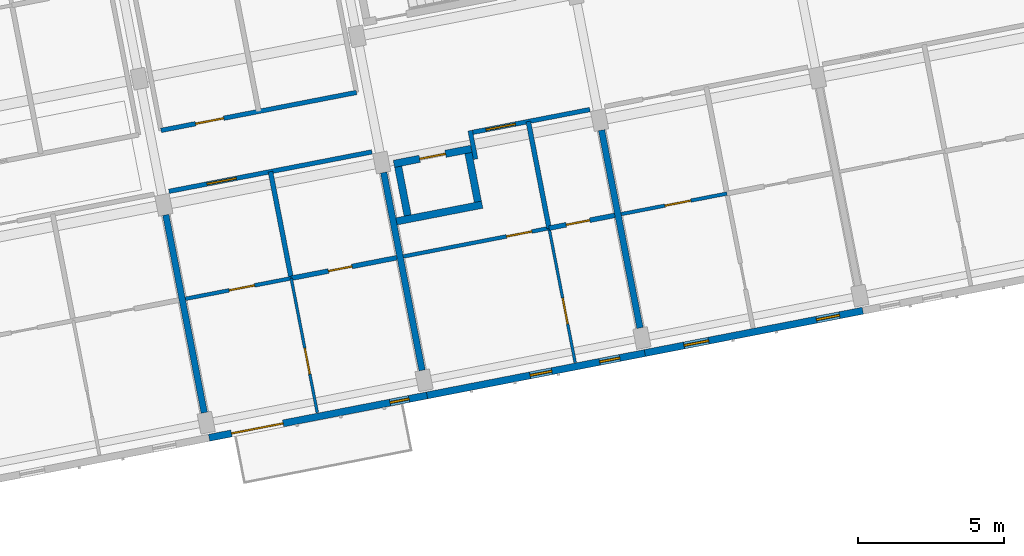
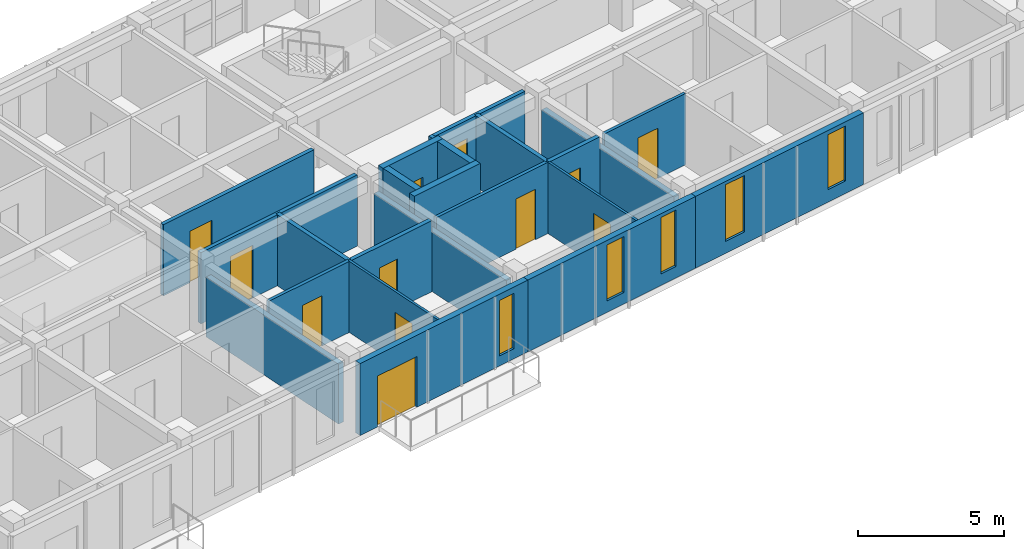
# One storey, part 34 of 66: 23 walls, 12 doors, 5 windows, 17 openings.
"""IFC4 building model written with IfcOpenShell, lengths in metres."""

from ifc_helpers import new_model, si_unit, direction, frame, frame_2d, origin, place, context, subcontext, project, spatial, rectangle, extrude, material, layer, layer_set, type_object, element, fill, save


model = new_model("IFC4")

# Units and contexts
model_context = context("Model", 3, precision=1e-05, world=origin(), true_north=direction((0.0, 1.0)))
body_context = subcontext(model_context, "Body", "Model", "MODEL_VIEW")
ifc_project = project(units=[si_unit("LENGTHUNIT", "METRE"), si_unit("AREAUNIT", "SQUARE_METRE"), si_unit("VOLUMEUNIT", "CUBIC_METRE"), si_unit("PLANEANGLEUNIT", "RADIAN"), si_unit("MASSUNIT", "GRAM", prefix="KILO")], contexts=[model_context])

# Site, building, storey
site_placement = place(None, origin())
site = spatial("IfcSite", under=ifc_project, at=site_placement, CompositionType="ELEMENT")
building_placement = place(site_placement, origin())
building = spatial("IfcBuilding", under=site, at=building_placement, Name="Kestramere Prow Commons", CompositionType="ELEMENT")
storey_placement = place(building_placement, frame((0.0, 0.0, 14.89990234375)))
storey = spatial("IfcBuildingStorey", under=building, at=storey_placement, Name="L04", CompositionType="ELEMENT", Elevation=14.89990234375)

# Wall, openings, door, window
ifc_material_1 = material(Name="Fluoropolymer Standing-Seam Zinc-Aluminium Cladding", Category="aluminium")
ifc_layer_1 = layer(ifc_material_1, 0.239990234375)
ifc_layer_set_1 = layer_set([ifc_layer_1], Name="Fluoropolymer Standing-Seam Zinc-Aluminium Cladding")
wall_type_1 = type_object("IfcWallType", Name="EW-SEAM-240", PredefinedType="SOLIDWALL", material=ifc_layer_set_1)
wall_1_placement = place(storey_placement, frame((140.88134765625, 37.835205078125, 0.0), z_axis=(0.0, 0.0, 1.0), x_axis=(-0.981626422232, -0.190812911449, 0.0)))
wall_1 = element("IfcWall", 1, at=wall_1_placement, inside=storey, type_object=wall_type_1, Name="Block D L04 South Standing-Seam Wall 3", PredefinedType="SOLIDWALL", context=body_context, shape_type="SweptSolid", body=[
    extrude(rectangle(XDim=7.60009765625, YDim=0.239990234375, at=frame_2d((3.800048828125, 0.0))), origin(), (0.0, 0.0, 1.0), 3.0),
])
opening_1_placement = place(wall_1_placement, frame((5.01904296875, 0.0, 0.0)))
opening_1 = element("IfcOpeningElement", 2, at=opening_1_placement, cuts=wall_1, Name="Opening GD-BAL-02", PredefinedType="OPENING", context=body_context, shape_type="SweptSolid", body=[
    extrude(rectangle(XDim=1.800048828125, YDim=2.1201171875, at=frame_2d((0.89990234375, 1.06005859375))), frame((0.0, 0.135009765625, 0.0), z_axis=(0.0, -1.0, 0.0), x_axis=(1.0, 0.0, 0.0)), (0.0, 0.0, 1.0), 0.27001953125),
])
opening_2_placement = place(wall_1_placement, frame((0.6298828125, 0.0, 0.419921875)))
opening_2 = element("IfcOpeningElement", 3, at=opening_2_placement, cuts=wall_1, Name="Opening WN-05", PredefinedType="OPENING", context=body_context, shape_type="SweptSolid", body=[
    extrude(rectangle(XDim=0.659912109375, YDim=2.320068359375, at=frame_2d((0.330078125, 1.16015625))), frame((0.0, 0.135009765625, 0.0), z_axis=(0.0, -1.0, 0.0), x_axis=(1.0, 0.0, 0.0)), (0.0, 0.0, 1.0), 0.27001953125),
])
ifc_material_2 = material(Name="Thermally-Broken Anodised Aluminium Glazed", Category="aluminium")
door_type_1 = type_object("IfcDoorType", Name="GD-BAL-1800", OperationType="SLIDING_TO_LEFT", PredefinedType="DOOR", material=ifc_material_2)
door_1_placement = place(opening_1_placement, origin())
door_1 = element("IfcDoor", 4, at=door_1_placement, inside=storey, type_object=door_type_1, Name="Block D L04 Balcony Door 3", OperationType="SLIDING_TO_LEFT", OverallHeight=2.1201171875, OverallWidth=1.800048828125, PredefinedType="DOOR", context=body_context, shape_type="SweptSolid", body=[
    extrude(rectangle(XDim=1.800048828125, YDim=2.1201171875, at=frame_2d((0.89990234375, 1.06005859375))), frame((0.0, 0.02490234375, 0.0), z_axis=(0.0, -1.0, 0.0), x_axis=(1.0, 0.0, 0.0)), (0.0, 0.0, 1.0), 0.050048828125),
])
fill(opening_1, door_1)
ifc_material_3 = material(Name="Low-E Laminated Double Glazing", Category="glass")
window_type_1 = type_object("IfcWindowType", Name="WN-NAR-660A", PartitioningType="SINGLE_PANEL", PredefinedType="WINDOW", material=ifc_material_3)
window_1_placement = place(opening_2_placement, origin())
window_1 = element("IfcWindow", 5, at=window_1_placement, inside=storey, type_object=window_type_1, Name="WN-D-L04-SR-2", OverallHeight=2.320068359375, OverallWidth=0.659912109375, PartitioningType="SINGLE_PANEL", PredefinedType="WINDOW", context=body_context, shape_type="SweptSolid", body=[
    extrude(rectangle(XDim=0.659912109375, YDim=2.320068359375, at=frame_2d((0.330078125, 1.16015625))), frame((0.0, 0.030029296875, 0.0), z_axis=(0.0, -1.0, 0.0), x_axis=(1.0, 0.0, 0.0)), (0.0, 0.0, 1.0), 0.06005859375),
])
fill(opening_2, window_1)

# Wall, openings, windows
wall_2_placement = place(storey_placement, frame((148.341552734375, 39.28515625, 0.0), z_axis=(0.0, 0.0, 1.0), x_axis=(-0.981631269434, -0.190787973596, 0.0)))
wall_2 = element("IfcWall", 6, at=wall_2_placement, inside=storey, type_object=wall_type_1, Name="Block D L04 South Standing-Seam Wall 4", PredefinedType="SOLIDWALL", context=body_context, shape_type="SweptSolid", body=[
    extrude(rectangle(XDim=7.599853515625, YDim=0.239990234375, at=frame_2d((3.7998046875, 0.0))), origin(), (0.0, 0.0, 1.0), 3.0),
])
opening_3_placement = place(wall_2_placement, frame((0.8779296875, 0.0, 0.47998046875)))
opening_3 = element("IfcOpeningElement", 7, at=opening_3_placement, cuts=wall_2, Name="Opening WN-07", PredefinedType="OPENING", context=body_context, shape_type="SweptSolid", body=[
    extrude(rectangle(XDim=0.699951171875, YDim=2.360107421875, at=frame_2d((0.35009765625, 1.18017578125))), frame((0.0, 0.135009765625, 0.0), z_axis=(0.0, -1.0, 0.0), x_axis=(1.0, 0.0, 0.0)), (0.0, 0.0, 1.0), 0.27001953125),
])
opening_4_placement = place(wall_2_placement, frame((3.247314453125, 0.0, 0.47998046875)))
opening_4 = element("IfcOpeningElement", 8, at=opening_4_placement, cuts=wall_2, Name="Opening WN-10", PredefinedType="OPENING", context=body_context, shape_type="SweptSolid", body=[
    extrude(rectangle(XDim=0.760009765625, YDim=2.340087890625, at=frame_2d((0.3798828125, 1.169921875))), frame((0.0, 0.135009765625, 0.0), z_axis=(0.0, -1.0, 0.0), x_axis=(1.0, 0.0, 0.0)), (0.0, 0.0, 1.0), 0.27001953125),
])
window_type_2 = type_object("IfcWindowType", Name="WN-NAR-700A", PartitioningType="SINGLE_PANEL", PredefinedType="WINDOW", material=ifc_material_3)
window_2_placement = place(opening_3_placement, origin())
window_2 = element("IfcWindow", 9, at=window_2_placement, inside=storey, type_object=window_type_2, Name="WN-D-L04-S-3-00", OverallHeight=2.360107421875, OverallWidth=0.699951171875, PartitioningType="SINGLE_PANEL", PredefinedType="WINDOW", context=body_context, shape_type="SweptSolid", body=[
    extrude(rectangle(XDim=0.699951171875, YDim=2.360107421875, at=frame_2d((0.35009765625, 1.18017578125))), frame((0.0, 0.030029296875, 0.0), z_axis=(0.0, -1.0, 0.0), x_axis=(1.0, 0.0, 0.0)), (0.0, 0.0, 1.0), 0.06005859375),
])
fill(opening_3, window_2)
window_type_3 = type_object("IfcWindowType", Name="WN-NAR-760A", PartitioningType="SINGLE_PANEL", PredefinedType="WINDOW", material=ifc_material_3)
window_3_placement = place(opening_4_placement, origin())
window_3 = element("IfcWindow", 10, at=window_3_placement, inside=storey, type_object=window_type_3, Name="WN-D-L04-S-3-10", OverallHeight=2.340087890625, OverallWidth=0.760009765625, PartitioningType="SINGLE_PANEL", PredefinedType="WINDOW", context=body_context, shape_type="SweptSolid", body=[
    extrude(rectangle(XDim=0.760009765625, YDim=2.340087890625, at=frame_2d((0.3798828125, 1.169921875))), frame((0.0, 0.030029296875, 0.0), z_axis=(0.0, -1.0, 0.0), x_axis=(1.0, 0.0, 0.0)), (0.0, 0.0, 1.0), 0.06005859375),
])
fill(opening_4, window_3)

wall_3_placement = place(storey_placement, frame((155.802001953125, 40.7353515625, 0.0), z_axis=(0.0, 0.0, 1.0), x_axis=(-0.981626422232, -0.190812911449, 0.0)))
wall_3 = element("IfcWall", 11, at=wall_3_placement, inside=storey, type_object=wall_type_1, Name="Block D L04 South Standing-Seam Wall 5", PredefinedType="SOLIDWALL", context=body_context, shape_type="SweptSolid", body=[
    extrude(rectangle(XDim=7.60009765625, YDim=0.239990234375, at=frame_2d((3.800048828125, 0.0))), origin(), (0.0, 0.0, 1.0), 3.0),
])
opening_5_placement = place(wall_3_placement, frame((0.813232421875, 0.0, 0.52001953125)))
opening_5 = element("IfcOpeningElement", 12, at=opening_5_placement, cuts=wall_3, Name="Opening WN-12", PredefinedType="OPENING", context=body_context, shape_type="SweptSolid", body=[
    extrude(rectangle(XDim=0.800048828125, YDim=2.300048828125, at=frame_2d((0.39990234375, 1.14990234375))), frame((0.0, 0.135009765625, 0.0), z_axis=(0.0, -1.0, 0.0), x_axis=(1.0, 0.0, 0.0)), (0.0, 0.0, 1.0), 0.27001953125),
])
opening_6_placement = place(wall_3_placement, frame((5.376708984375, 0.0, 0.5)))
opening_6 = element("IfcOpeningElement", 13, at=opening_6_placement, cuts=wall_3, Name="Opening WN-15", PredefinedType="OPENING", context=body_context, shape_type="SweptSolid", body=[
    extrude(rectangle(XDim=0.860107421875, YDim=2.360107421875, at=frame_2d((0.43017578125, 1.18017578125))), frame((0.0, 0.135009765625, 0.0), z_axis=(0.0, -1.0, 0.0), x_axis=(1.0, 0.0, 0.0)), (0.0, 0.0, 1.0), 0.27001953125),
])
window_type_4 = type_object("IfcWindowType", Name="WN-NAR-800A", PartitioningType="SINGLE_PANEL", PredefinedType="WINDOW", material=ifc_material_3)
window_4_placement = place(opening_5_placement, origin())
window_4 = element("IfcWindow", 14, at=window_4_placement, inside=storey, type_object=window_type_4, Name="WN-D-L04-S-4-00", OverallHeight=2.300048828125, OverallWidth=0.800048828125, PartitioningType="SINGLE_PANEL", PredefinedType="WINDOW", context=body_context, shape_type="SweptSolid", body=[
    extrude(rectangle(XDim=0.800048828125, YDim=2.300048828125, at=frame_2d((0.39990234375, 1.14990234375))), frame((0.0, 0.030029296875, 0.0), z_axis=(0.0, -1.0, 0.0), x_axis=(1.0, 0.0, 0.0)), (0.0, 0.0, 1.0), 0.06005859375),
])
fill(opening_5, window_4)
window_type_5 = type_object("IfcWindowType", Name="WN-NAR-860A", PartitioningType="DOUBLE_PANEL_VERTICAL", PredefinedType="WINDOW", material=ifc_material_3)
window_5_placement = place(opening_6_placement, origin())
window_5 = element("IfcWindow", 15, at=window_5_placement, inside=storey, type_object=window_type_5, Name="WN-D-L04-S-4-10", OverallHeight=2.360107421875, OverallWidth=0.860107421875, PartitioningType="SINGLE_PANEL", PredefinedType="WINDOW", context=body_context, shape_type="SweptSolid", body=[
    extrude(rectangle(XDim=0.860107421875, YDim=2.360107421875, at=frame_2d((0.43017578125, 1.18017578125))), frame((0.0, 0.030029296875, 0.0), z_axis=(0.0, -1.0, 0.0), x_axis=(1.0, 0.0, 0.0)), (0.0, 0.0, 1.0), 0.06005859375),
])
fill(opening_6, window_5)

# Wall, opening, door
ifc_material_4 = material(Name="Fire-Rated Calcium Silicate Wall")
ifc_layer_2 = layer(ifc_material_4, 0.155029296875)
ifc_layer_set_2 = layer_set([ifc_layer_2], Name="Fire-Rated Calcium Silicate Wall")
wall_type_2 = type_object("IfcWallType", Name="W-FIRE-150", PredefinedType="PARTITIONING", material=ifc_layer_set_2)
wall_4_placement = place(storey_placement, frame((132.045654296875, 44.822509765625, 0.0), z_axis=(0.0, 0.0, 1.0), x_axis=(0.9816234647, 0.190828125677, 0.0)))
wall_4 = element("IfcWall", 16, at=wall_4_placement, inside=storey, type_object=wall_type_2, Name="Interior Partition PW-D-L04-CS-2", PredefinedType="PARTITIONING", context=body_context, shape_type="SweptSolid", body=[
    extrude(rectangle(XDim=7.080078125, YDim=0.155029296875, at=frame_2d((3.5400390625, 0.0))), origin(), (0.0, 0.0, 1.0), 2.97021484375),
])
opening_7_placement = place(wall_4_placement, frame((1.330078125, 0.0, 0.0)))
opening_7 = element("IfcOpeningElement", 17, at=opening_7_placement, cuts=wall_4, Name="Opening ID-05", PredefinedType="OPENING", context=body_context, shape_type="SweptSolid", body=[
    extrude(rectangle(XDim=1.02001953125, YDim=2.199951171875, at=frame_2d((0.510009765625, 1.10009765625))), frame((0.0, 0.092529296875, 0.0), z_axis=(0.0, -1.0, 0.0), x_axis=(1.0, 0.0, 0.0)), (0.0, 0.0, 1.0), 0.18505859375),
])
ifc_material_5 = material(Name="Hardwood Fire-Rated Flat Entrance Door", Category="wood")
door_type_2 = type_object("IfcDoorType", Name="FD-ENT-02", OperationType="NOTDEFINED", PredefinedType="DOOR", material=ifc_material_5)
door_2_placement = place(opening_7_placement, origin())
door_2 = element("IfcDoor", 18, at=door_2_placement, inside=storey, type_object=door_type_2, Name="Interior Door DR-D-L04-ENT-S2", OperationType="SINGLE_SWING_LEFT", OverallHeight=2.199951171875, OverallWidth=1.02001953125, PredefinedType="DOOR", context=body_context, shape_type="SweptSolid", body=[
    extrude(rectangle(XDim=1.02001953125, YDim=2.199951171875, at=frame_2d((0.510009765625, 1.10009765625))), frame((0.0, 0.02490234375, 0.0), z_axis=(0.0, -1.0, 0.0), x_axis=(1.0, 0.0, 0.0)), (0.0, 0.0, 1.0), 0.050048828125),
])
fill(opening_7, door_2)

# Wall
wall_5_placement = place(storey_placement, frame((142.5478515625, 45.9267578125, 0.0), z_axis=(0.0, 0.0, 1.0), x_axis=(-0.190639805817, 0.981660055436, 0.0)))
element("IfcWall", 19, at=wall_5_placement, inside=storey, type_object=wall_type_2, Name="Interior Partition PW-D-L04-HS-CLOSER", PredefinedType="PARTITIONING", context=body_context, shape_type="SweptSolid", body=[
    extrude(rectangle(XDim=0.9951171875, YDim=0.155029296875, at=frame_2d((0.49755859375, 0.0))), origin(), (0.0, 0.0, 1.0), 2.97021484375),
])

# Wall, opening, door
wall_6_placement = place(storey_placement, frame((142.450927734375, 46.84521484375, 0.0), z_axis=(0.0, 0.0, 1.0), x_axis=(0.981636249117, 0.190762350636, 0.0)))
wall_6 = element("IfcWall", 20, at=wall_6_placement, inside=storey, type_object=wall_type_2, Name="Interior Partition PW-D-L04-CS-3", PredefinedType="PARTITIONING", context=body_context, shape_type="SweptSolid", body=[
    extrude(rectangle(XDim=4.080078125, YDim=0.155029296875, at=frame_2d((2.0400390625, 0.0))), origin(), (0.0, 0.0, 1.0), 2.97021484375),
])
opening_8_placement = place(wall_6_placement, frame((0.4580078125, 0.0, 0.0)))
opening_8 = element("IfcOpeningElement", 21, at=opening_8_placement, cuts=wall_6, Name="Opening ID-05", PredefinedType="OPENING", context=body_context, shape_type="SweptSolid", body=[
    extrude(rectangle(XDim=1.02001953125, YDim=2.199951171875, at=frame_2d((0.510009765625, 1.10009765625))), frame((0.0, 0.092529296875, 0.0), z_axis=(0.0, -1.0, 0.0), x_axis=(1.0, 0.0, 0.0)), (0.0, 0.0, 1.0), 0.18505859375),
])
door_3_placement = place(opening_8_placement, origin())
door_3 = element("IfcDoor", 22, at=door_3_placement, inside=storey, type_object=door_type_2, Name="Interior Door DR-D-L04-ENT-S3", OperationType="SINGLE_SWING_RIGHT", OverallHeight=2.199951171875, OverallWidth=1.02001953125, PredefinedType="DOOR", context=body_context, shape_type="SweptSolid", body=[
    extrude(rectangle(XDim=1.02001953125, YDim=2.199951171875, at=frame_2d((0.510009765625, 1.10009765625))), frame((0.0, 0.02490234375, 0.0), z_axis=(0.0, -1.0, 0.0), x_axis=(1.0, 0.0, 0.0)), (0.0, 0.0, 1.0), 0.050048828125),
])
fill(opening_8, door_3)

wall_7_placement = place(storey_placement, frame((131.7724609375, 46.90869140625, 0.0), z_axis=(0.0, 0.0, 1.0), x_axis=(0.981622468528, 0.190833249935, 0.0)))
wall_7 = element("IfcWall", 23, at=wall_7_placement, inside=storey, type_object=wall_type_2, Name="Interior Partition PW-D-L04-CN-2", PredefinedType="PARTITIONING", context=body_context, shape_type="SweptSolid", body=[
    extrude(rectangle(XDim=6.820068359375, YDim=0.155029296875, at=frame_2d((3.41015625, 0.0))), origin(), (0.0, 0.0, 1.0), 2.97021484375),
])
opening_9_placement = place(wall_7_placement, frame((1.205078125, 0.0, 0.0)))
opening_9 = element("IfcOpeningElement", 24, at=opening_9_placement, cuts=wall_7, Name="Opening ID-04", PredefinedType="OPENING", context=body_context, shape_type="SweptSolid", body=[
    extrude(rectangle(XDim=0.97998046875, YDim=2.14990234375, at=frame_2d((0.489990234375, 1.074951171875))), frame((0.0, 0.092529296875, 0.0), z_axis=(0.0, -1.0, 0.0), x_axis=(1.0, 0.0, 0.0)), (0.0, 0.0, 1.0), 0.18505859375),
])
door_type_3 = type_object("IfcDoorType", Name="FD-ENT-01", OperationType="NOTDEFINED", PredefinedType="DOOR", material=ifc_material_5)
door_4_placement = place(opening_9_placement, origin())
door_4 = element("IfcDoor", 25, at=door_4_placement, inside=storey, type_object=door_type_3, Name="Interior Door DR-D-L04-ENT-N2", OperationType="SINGLE_SWING_RIGHT", OverallHeight=2.14990234375, OverallWidth=0.97998046875, PredefinedType="DOOR", context=body_context, shape_type="SweptSolid", body=[
    extrude(rectangle(XDim=0.97998046875, YDim=2.14990234375, at=frame_2d((0.489990234375, 1.074951171875))), frame((0.0, 0.02490234375, 0.0), z_axis=(0.0, -1.0, 0.0), x_axis=(1.0, 0.0, 0.0)), (0.0, 0.0, 1.0), 0.050048828125),
])
fill(opening_9, door_4)

# Wall
ifc_material_6 = material(Name="Concrete C40/50", Category="concrete")
ifc_layer_3 = layer(ifc_material_6, 0.25)
ifc_layer_set_3 = layer_set([ifc_layer_3], Name="Concrete C40/50")
wall_type_3 = type_object("IfcWallType", Name="W-HS-250", PredefinedType="SHEAR", material=ifc_layer_set_3)
wall_8_placement = place(storey_placement, frame((139.8349609375, 43.794921875, 0.0), z_axis=(0.0, 0.0, 1.0), x_axis=(0.981624737535, 0.190821578075, 0.0)))
element("IfcWall", 26, at=wall_8_placement, inside=storey, type_object=wall_type_3, Name="Block D L04 Household Shelter South Wall", PredefinedType="SHEAR", context=body_context, shape_type="SweptSolid", body=[
    extrude(rectangle(XDim=2.989990234375, YDim=0.25, at=frame_2d((1.4951171875, 0.0))), origin(), (0.0, 0.0, 1.0), 3.25),
])

# Wall, opening, door
wall_9_placement = place(storey_placement, frame((139.74755859375, 45.764404296875, 0.0), z_axis=(0.0, 0.0, 1.0), x_axis=(0.981630445883, 0.190792210834, 0.0)))
wall_9 = element("IfcWall", 27, at=wall_9_placement, inside=storey, type_object=wall_type_3, Name="Block D L04 Household Shelter North Wall", PredefinedType="SHEAR", context=body_context, shape_type="SweptSolid", body=[
    extrude(rectangle(XDim=2.699951171875, YDim=0.25, at=frame_2d((1.35009765625, 0.0))), origin(), (0.0, 0.0, 1.0), 3.25),
])
opening_10_placement = place(wall_9_placement, frame((0.89990234375, 0.0, 0.0)))
opening_10 = element("IfcOpeningElement", 28, at=opening_10_placement, cuts=wall_9, Name="Opening ID-06", PredefinedType="OPENING", context=body_context, shape_type="SweptSolid", body=[
    extrude(rectangle(XDim=0.89990234375, YDim=2.050048828125, at=frame_2d((0.449951171875, 1.02490234375))), frame((0.0, 0.139892578125, 0.0), z_axis=(0.0, -1.0, 0.0), x_axis=(1.0, 0.0, 0.0)), (0.0, 0.0, 1.0), 0.280029296875),
])
ifc_material_7 = material(Name="Galvanised Steel S275JR Household Shelter Door", Category="steel")
door_type_4 = type_object("IfcDoorType", Name="FD-HS-01", OperationType="NOTDEFINED", PredefinedType="DOOR", material=ifc_material_7)
door_5_placement = place(opening_10_placement, origin())
door_5 = element("IfcDoor", 29, at=door_5_placement, inside=storey, type_object=door_type_4, Name="Block D L04 Household Shelter Blast Door", OperationType="SINGLE_SWING_RIGHT", OverallHeight=2.050048828125, OverallWidth=0.89990234375, PredefinedType="DOOR", context=body_context, shape_type="SweptSolid", body=[
    extrude(rectangle(XDim=0.89990234375, YDim=2.050048828125, at=frame_2d((0.449951171875, 1.02490234375))), frame((0.0, 0.02490234375, 0.0), z_axis=(0.0, -1.0, 0.0), x_axis=(1.0, 0.0, 0.0)), (0.0, 0.0, 1.0), 0.050048828125),
])
fill(opening_10, door_5)

# Walls
for number, where, z_axis, x_axis, name in (
    (30, (140.21826171875, 43.996826171875, 0.0), (0.0, 0.0, 1.0), (-0.190727425199, 0.981643035567, 0.0), "Block D L04 Household Shelter W Wall"),
    (31, (142.623291015625, 44.46435546875, 0.0), (0.0, 0.0, 1.0), (-0.190727425199, 0.981643035567, 0.0), "Block D L04 Household Shelter E Wall"),
):
    element("IfcWall", number, at=place(storey_placement, frame(where, z_axis=z_axis, x_axis=x_axis)), inside=storey, type_object=wall_type_3, Name=name, PredefinedType="SHEAR", context=body_context, shape_type="SweptSolid", body=[
        extrude(rectangle(XDim=1.699951171875, YDim=0.25, at=frame_2d((0.85009765625, 0.0))), origin(), (0.0, 0.0, 1.0), 3.25),
    ])

# Wall, opening, door
ifc_material_8 = material(Name="Lightweight Blockwork and Plaster", Category="masonry")
ifc_layer_4 = layer(ifc_material_8, 0.1201171875)
ifc_layer_set_4 = layer_set([ifc_layer_4], Name="Lightweight Blockwork and Plaster")
wall_type_4 = type_object("IfcWallType", Name="W-PART-120", PredefinedType="PARTITIONING", material=ifc_layer_set_4)
wall_10_placement = place(storey_placement, frame((147.533935546875, 44.04345703125, 0.0), z_axis=(0.0, 0.0, 1.0), x_axis=(0.981626422232, 0.190812911449, 0.0)))
wall_10 = element("IfcWall", 32, at=wall_10_placement, inside=storey, type_object=wall_type_4, Name="Interior Partition PW-D-L04-MIDS1-4", PredefinedType="PARTITIONING", context=body_context, shape_type="SweptSolid", body=[
    extrude(rectangle(XDim=3.684814453125, YDim=0.1201171875, at=frame_2d((1.84228515625, 0.0))), origin(), (0.0, 0.0, 1.0), 2.97021484375),
])
opening_11_placement = place(wall_10_placement, frame((1.52490234375, 0.0, 0.0)))
opening_11 = element("IfcOpeningElement", 33, at=opening_11_placement, cuts=wall_10, Name="Opening ID-08", PredefinedType="OPENING", context=body_context, shape_type="SweptSolid", body=[
    extrude(rectangle(XDim=0.89990234375, YDim=2.10009765625, at=frame_2d((0.449951171875, 1.050048828125))), frame((0.0, 0.074951171875, 0.0), z_axis=(0.0, -1.0, 0.0), x_axis=(1.0, 0.0, 0.0)), (0.0, 0.0, 1.0), 0.150146484375),
])
ifc_material_9 = material(Name="Engineered Timber Flush Door", Category="wood")
door_type_5 = type_object("IfcDoorType", Name="D-RM-01", OperationType="NOTDEFINED", PredefinedType="DOOR", material=ifc_material_9)
door_6_placement = place(opening_11_placement, origin())
door_6 = element("IfcDoor", 34, at=door_6_placement, inside=storey, type_object=door_type_5, Name="Interior Door DR-D-L04-KL-S4", OperationType="SINGLE_SWING_RIGHT", OverallHeight=2.10009765625, OverallWidth=0.89990234375, PredefinedType="DOOR", context=body_context, shape_type="SweptSolid", body=[
    extrude(rectangle(XDim=0.89990234375, YDim=2.10009765625, at=frame_2d((0.449951171875, 1.050048828125))), frame((0.0, 0.02490234375, 0.0), z_axis=(0.0, -1.0, 0.0), x_axis=(1.0, 0.0, 0.0)), (0.0, 0.0, 1.0), 0.050048828125),
])
fill(opening_11, door_6)

ifc_layer_5 = layer(ifc_material_8, 0.1298828125)
ifc_layer_set_5 = layer_set([ifc_layer_5], Name="Lightweight Blockwork and Plaster")
wall_type_5 = type_object("IfcWallType", Name="W-PART-130", PredefinedType="PARTITIONING", material=ifc_layer_set_5)
wall_11_placement = place(storey_placement, frame((132.613037109375, 41.143310546875, 0.0), z_axis=(0.0, 0.0, 1.0), x_axis=(0.981628834294, 0.190800502313, 0.0)))
wall_11 = element("IfcWall", 35, at=wall_11_placement, inside=storey, type_object=wall_type_5, Name="Interior Partition PW-D-L04-MIDS1-2", PredefinedType="PARTITIONING", context=body_context, shape_type="SweptSolid", body=[
    extrude(rectangle(XDim=3.68505859375, YDim=0.1298828125, at=frame_2d((1.842529296875, 0.0))), origin(), (0.0, 0.0, 1.0), 2.97021484375),
])
opening_12_placement = place(wall_11_placement, frame((1.52490234375, 0.0, 0.0)))
opening_12 = element("IfcOpeningElement", 36, at=opening_12_placement, cuts=wall_11, Name="Opening ID-10", PredefinedType="OPENING", context=body_context, shape_type="SweptSolid", body=[
    extrude(rectangle(XDim=0.8798828125, YDim=2.10009765625, at=frame_2d((0.43994140625, 1.050048828125))), frame((0.0, 0.079833984375, 0.0), z_axis=(0.0, -1.0, 0.0), x_axis=(1.0, 0.0, 0.0)), (0.0, 0.0, 1.0), 0.159912109375),
])
ifc_material_10 = material(Name="Engineered Timber Bedroom Door", Category="wood")
door_type_6 = type_object("IfcDoorType", Name="D-RM-03", OperationType="NOTDEFINED", PredefinedType="DOOR", material=ifc_material_10)
door_7_placement = place(opening_12_placement, origin())
door_7 = element("IfcDoor", 37, at=door_7_placement, inside=storey, type_object=door_type_6, Name="Interior Door DR-D-L04-KL-S2", OperationType="SINGLE_SWING_RIGHT", OverallHeight=2.10009765625, OverallWidth=0.8798828125, PredefinedType="DOOR", context=body_context, shape_type="SweptSolid", body=[
    extrude(rectangle(XDim=0.8798828125, YDim=2.10009765625, at=frame_2d((0.43994140625, 1.050048828125))), frame((0.0, 0.02490234375, 0.0), z_axis=(0.0, -1.0, 0.0), x_axis=(1.0, 0.0, 0.0)), (0.0, 0.0, 1.0), 0.050048828125),
])
fill(opening_12, door_7)

wall_12_placement = place(storey_placement, frame((140.073486328125, 42.593505859375, 0.0), z_axis=(0.0, 0.0, 1.0), x_axis=(0.981629144122, 0.190798908307, 0.0)))
wall_12 = element("IfcWall", 38, at=wall_12_placement, inside=storey, type_object=wall_type_5, Name="Interior Partition PW-D-L04-MIDS1-3", PredefinedType="PARTITIONING", context=body_context, shape_type="SweptSolid", body=[
    extrude(rectangle(XDim=5.079833984375, YDim=0.1298828125, at=frame_2d((2.5400390625, 0.0))), origin(), (0.0, 0.0, 1.0), 2.97021484375),
])
opening_13_placement = place(wall_12_placement, frame((3.594970703125, 0.0, 0.0)))
opening_13 = element("IfcOpeningElement", 39, at=opening_13_placement, cuts=wall_12, Name="Opening ID-10", PredefinedType="OPENING", context=body_context, shape_type="SweptSolid", body=[
    extrude(rectangle(XDim=0.8798828125, YDim=2.10009765625, at=frame_2d((0.43994140625, 1.050048828125))), frame((0.0, 0.079833984375, 0.0), z_axis=(0.0, -1.0, 0.0), x_axis=(1.0, 0.0, 0.0)), (0.0, 0.0, 1.0), 0.159912109375),
])
door_8_placement = place(opening_13_placement, origin())
door_8 = element("IfcDoor", 40, at=door_8_placement, inside=storey, type_object=door_type_6, Name="Interior Door DR-D-L04-KL-S3", OperationType="SINGLE_SWING_RIGHT", OverallHeight=2.10009765625, OverallWidth=0.8798828125, PredefinedType="DOOR", context=body_context, shape_type="SweptSolid", body=[
    extrude(rectangle(XDim=0.8798828125, YDim=2.10009765625, at=frame_2d((0.43994140625, 1.050048828125))), frame((0.0, 0.02490234375, 0.0), z_axis=(0.0, -1.0, 0.0), x_axis=(1.0, 0.0, 0.0)), (0.0, 0.0, 1.0), 0.050048828125),
])
fill(opening_13, door_8)

ifc_material_11 = material(Name="Gypsum Acoustic Drywall")
ifc_layer_6 = layer(ifc_material_11, 0.094970703125)
ifc_layer_set_6 = layer_set([ifc_layer_6], Name="Gypsum Acoustic Drywall")
wall_type_6 = type_object("IfcWallType", Name="W-PART-95", PredefinedType="PARTITIONING", material=ifc_layer_set_6)
wall_13_placement = place(storey_placement, frame((137.125244140625, 37.242431640625, 0.0), z_axis=(0.0, 0.0, 1.0), x_axis=(-0.190777702748, 0.981633265601, 0.0)))
wall_13 = element("IfcWall", 41, at=wall_13_placement, inside=storey, type_object=wall_type_6, Name="Interior Partition PW-D-L04-LB-S2", PredefinedType="PARTITIONING", context=body_context, shape_type="SweptSolid", body=[
    extrude(rectangle(XDim=4.690185546875, YDim=0.094970703125, at=frame_2d((2.34521484375, 0.0))), origin(), (0.0, 0.0, 1.0), 2.97021484375),
])
opening_14_placement = place(wall_13_placement, frame((1.35009765625, 0.0, 0.0)))
opening_14 = element("IfcOpeningElement", 42, at=opening_14_placement, cuts=wall_13, Name="Opening ID-08", PredefinedType="OPENING", context=body_context, shape_type="SweptSolid", body=[
    extrude(rectangle(XDim=0.89990234375, YDim=2.10009765625, at=frame_2d((0.449951171875, 1.050048828125))), frame((0.0, 0.0625, 0.0), z_axis=(0.0, -1.0, 0.0), x_axis=(1.0, 0.0, 0.0)), (0.0, 0.0, 1.0), 0.125),
])
door_9_placement = place(opening_14_placement, origin())
door_9 = element("IfcDoor", 43, at=door_9_placement, inside=storey, type_object=door_type_5, Name="Interior Door DR-D-L04-BED-S2", OperationType="SINGLE_SWING_LEFT", OverallHeight=2.10009765625, OverallWidth=0.89990234375, PredefinedType="DOOR", context=body_context, shape_type="SweptSolid", body=[
    extrude(rectangle(XDim=0.89990234375, YDim=2.10009765625, at=frame_2d((0.449951171875, 1.050048828125))), frame((0.0, 0.02490234375, 0.0), z_axis=(0.0, -1.0, 0.0), x_axis=(1.0, 0.0, 0.0)), (0.0, 0.0, 1.0), 0.050048828125),
])
fill(opening_14, door_9)

wall_14_placement = place(storey_placement, frame((145.955078125, 38.958984375, 0.0), z_axis=(0.0, 0.0, 1.0), x_axis=(-0.190837612577, 0.981621620394, 0.0)))
wall_14 = element("IfcWall", 44, at=wall_14_placement, inside=storey, type_object=wall_type_6, Name="Interior Partition PW-D-L04-LB-S3", PredefinedType="PARTITIONING", context=body_context, shape_type="SweptSolid", body=[
    extrude(rectangle(XDim=4.68994140625, YDim=0.094970703125, at=frame_2d((2.344970703125, 0.0))), origin(), (0.0, 0.0, 1.0), 2.97021484375),
])
opening_15_placement = place(wall_14_placement, frame((1.35009765625, 0.0, 0.0)))
opening_15 = element("IfcOpeningElement", 45, at=opening_15_placement, cuts=wall_14, Name="Opening ID-08", PredefinedType="OPENING", context=body_context, shape_type="SweptSolid", body=[
    extrude(rectangle(XDim=0.89990234375, YDim=2.10009765625, at=frame_2d((0.449951171875, 1.050048828125))), frame((0.0, 0.0625, 0.0), z_axis=(0.0, -1.0, 0.0), x_axis=(1.0, 0.0, 0.0)), (0.0, 0.0, 1.0), 0.125),
])
door_10_placement = place(opening_15_placement, origin())
door_10 = element("IfcDoor", 46, at=door_10_placement, inside=storey, type_object=door_type_5, Name="Interior Door DR-D-L04-BED-S3", OperationType="SINGLE_SWING_RIGHT", OverallHeight=2.10009765625, OverallWidth=0.89990234375, PredefinedType="DOOR", context=body_context, shape_type="SweptSolid", body=[
    extrude(rectangle(XDim=0.89990234375, YDim=2.10009765625, at=frame_2d((0.449951171875, 1.050048828125))), frame((0.0, 0.02490234375, 0.0), z_axis=(0.0, -1.0, 0.0), x_axis=(1.0, 0.0, 0.0)), (0.0, 0.0, 1.0), 0.050048828125),
])
fill(opening_15, door_10)

ifc_material_12 = material(Name="Waterproof Sanitary Masonry Wall", Category="masonry")
ifc_layer_7 = layer(ifc_material_12, 0.1650390625)
ifc_layer_set_7 = layer_set([ifc_layer_7], Name="Waterproof Sanitary Masonry Wall")
wall_type_7 = type_object("IfcWallType", Name="W-PLUMB-150", PredefinedType="PLUMBINGWALL", material=ifc_layer_set_7)
wall_15_placement = place(storey_placement, frame((136.23046875, 41.846435546875, 0.0), z_axis=(0.0, 0.0, 1.0), x_axis=(0.981626422232, 0.190812911449, 0.0)))
wall_15 = element("IfcWall", 47, at=wall_15_placement, inside=storey, type_object=wall_type_7, Name="Interior Partition PW-D-L04-MIDS2-2", PredefinedType="PLUMBINGWALL", context=body_context, shape_type="SweptSolid", body=[
    extrude(rectangle(XDim=3.684814453125, YDim=0.1650390625, at=frame_2d((1.84228515625, 0.0))), origin(), (0.0, 0.0, 1.0), 2.97021484375),
])
opening_16_placement = place(wall_15_placement, frame((1.300048828125, 0.0, 0.0)))
opening_16 = element("IfcOpeningElement", 48, at=opening_16_placement, cuts=wall_15, Name="Opening ID-11", PredefinedType="OPENING", context=body_context, shape_type="SweptSolid", body=[
    extrude(rectangle(XDim=0.820068359375, YDim=2.080078125, at=frame_2d((0.41015625, 1.0400390625))), frame((0.0, 0.097412109375, 0.0), z_axis=(0.0, -1.0, 0.0), x_axis=(1.0, 0.0, 0.0)), (0.0, 0.0, 1.0), 0.195068359375),
])
ifc_material_13 = material(Name="Moisture-Resistant Timber Bathroom Door", Category="wood")
door_type_7 = type_object("IfcDoorType", Name="D-BT-01", OperationType="NOTDEFINED", PredefinedType="DOOR", material=ifc_material_13)
door_11_placement = place(opening_16_placement, origin())
door_11 = element("IfcDoor", 49, at=door_11_placement, inside=storey, type_object=door_type_7, Name="Interior Door DR-D-L04-BTH-S2", OperationType="SINGLE_SWING_LEFT", OverallHeight=2.080078125, OverallWidth=0.820068359375, PredefinedType="DOOR", context=body_context, shape_type="SweptSolid", body=[
    extrude(rectangle(XDim=0.820068359375, YDim=2.080078125, at=frame_2d((0.41015625, 1.0400390625))), frame((0.0, 0.02490234375, 0.0), z_axis=(0.0, -1.0, 0.0), x_axis=(1.0, 0.0, 0.0)), (0.0, 0.0, 1.0), 0.050048828125),
])
fill(opening_16, door_11)

# Wall
wall_16_placement = place(storey_placement, frame((136.23046875, 41.846435546875, 0.0), z_axis=(0.0, 0.0, 1.0), x_axis=(-0.190850336204, 0.981619146701, 0.0)))
element("IfcWall", 50, at=wall_16_placement, inside=storey, type_object=wall_type_7, Name="Interior Partition PW-D-L04-KB-S2", PredefinedType="PLUMBINGWALL", context=body_context, shape_type="SweptSolid", body=[
    extrude(rectangle(XDim=3.719970703125, YDim=0.1650390625, at=frame_2d((1.85986328125, 0.0))), origin(), (0.0, 0.0, 1.0), 2.97021484375),
])

# Wall, opening, door
wall_17_placement = place(storey_placement, frame((145.06005859375, 43.562744140625, 0.0), z_axis=(0.0, 0.0, 1.0), x_axis=(0.981624265801, 0.190824004755, 0.0)))
wall_17 = element("IfcWall", 51, at=wall_17_placement, inside=storey, type_object=wall_type_7, Name="Interior Partition PW-D-L04-MIDS2-3", PredefinedType="PLUMBINGWALL", context=body_context, shape_type="SweptSolid", body=[
    extrude(rectangle(XDim=2.2900390625, YDim=0.1650390625, at=frame_2d((1.14501953125, 0.0))), origin(), (0.0, 0.0, 1.0), 2.97021484375),
])
opening_17_placement = place(wall_17_placement, frame((0.60205078125, 0.0, 0.0)))
opening_17 = element("IfcOpeningElement", 52, at=opening_17_placement, cuts=wall_17, Name="Opening ID-11", PredefinedType="OPENING", context=body_context, shape_type="SweptSolid", body=[
    extrude(rectangle(XDim=0.820068359375, YDim=2.080078125, at=frame_2d((0.41015625, 1.0400390625))), frame((0.0, 0.097412109375, 0.0), z_axis=(0.0, -1.0, 0.0), x_axis=(1.0, 0.0, 0.0)), (0.0, 0.0, 1.0), 0.195068359375),
])
door_12_placement = place(opening_17_placement, origin())
door_12 = element("IfcDoor", 53, at=door_12_placement, inside=storey, type_object=door_type_7, Name="Interior Door DR-D-L04-BTH-S3", OperationType="SINGLE_SWING_LEFT", OverallHeight=2.080078125, OverallWidth=0.820068359375, PredefinedType="DOOR", context=body_context, shape_type="SweptSolid", body=[
    extrude(rectangle(XDim=0.820068359375, YDim=2.080078125, at=frame_2d((0.41015625, 1.0400390625))), frame((0.0, 0.02490234375, 0.0), z_axis=(0.0, -1.0, 0.0), x_axis=(1.0, 0.0, 0.0)), (0.0, 0.0, 1.0), 0.050048828125),
])
fill(opening_17, door_12)

# Walls
wall_18_placement = place(storey_placement, frame((145.06005859375, 43.562744140625, 0.0), z_axis=(0.0, 0.0, 1.0), x_axis=(-0.190787096078, 0.981631439987, 0.0)))
element("IfcWall", 54, at=wall_18_placement, inside=storey, type_object=wall_type_7, Name="Interior Partition PW-D-L04-KB-S3", PredefinedType="PLUMBINGWALL", context=body_context, shape_type="SweptSolid", body=[
    extrude(rectangle(XDim=3.719970703125, YDim=0.1650390625, at=frame_2d((1.85986328125, 0.0))), origin(), (0.0, 0.0, 1.0), 2.97021484375),
])
ifc_material_14 = material(Name="Precast concrete C40/50", Category="concrete")
ifc_layer_8 = layer(ifc_material_14, 0.219970703125)
ifc_layer_set_8 = layer_set([ifc_layer_8], Name="Precast concrete C40/50")
wall_type_8 = type_object("IfcWallType", Name="W-XWALL-220", PredefinedType="SHEAR", material=ifc_layer_set_8)
for number, where, z_axis, x_axis, name in (
    (55, (133.25390625, 37.243896484375, 0.0), (0.0, 0.0, 1.0), (-0.190819465253, 0.981625148252, 0.0), "Block D L04 Precast Cross-Wall 2"),
    (56, (140.71435546875, 38.694091796875, 0.0), (0.0, 0.0, 1.0), (-0.190819465253, 0.981625148252, 0.0), "Block D L04 Precast Cross-Wall 3"),
):
    element("IfcWall", number, at=place(storey_placement, frame(where, z_axis=z_axis, x_axis=x_axis)), inside=storey, type_object=wall_type_8, Name=name, PredefinedType="SHEAR", context=body_context, shape_type="SweptSolid", body=[
        extrude(rectangle(XDim=6.89990234375, YDim=0.219970703125, at=frame_2d((3.449951171875, 0.0))), origin(), (0.0, 0.0, 1.0), 2.5),
    ])
wall_19_placement = place(storey_placement, frame((148.1748046875, 40.14404296875, 0.0), z_axis=(0.0, 0.0, 1.0), x_axis=(-0.190812837813, 0.981626436546, 0.0)))
element("IfcWall", 57, at=wall_19_placement, inside=storey, type_object=wall_type_8, Name="Block D L04 Precast Cross-Wall 4", PredefinedType="SHEAR", context=body_context, shape_type="SweptSolid", body=[
    extrude(rectangle(XDim=6.900146484375, YDim=0.219970703125, at=frame_2d((3.4501953125, 0.0))), origin(), (0.0, 0.0, 1.0), 2.5),
])

save(model, "model.ifc")
